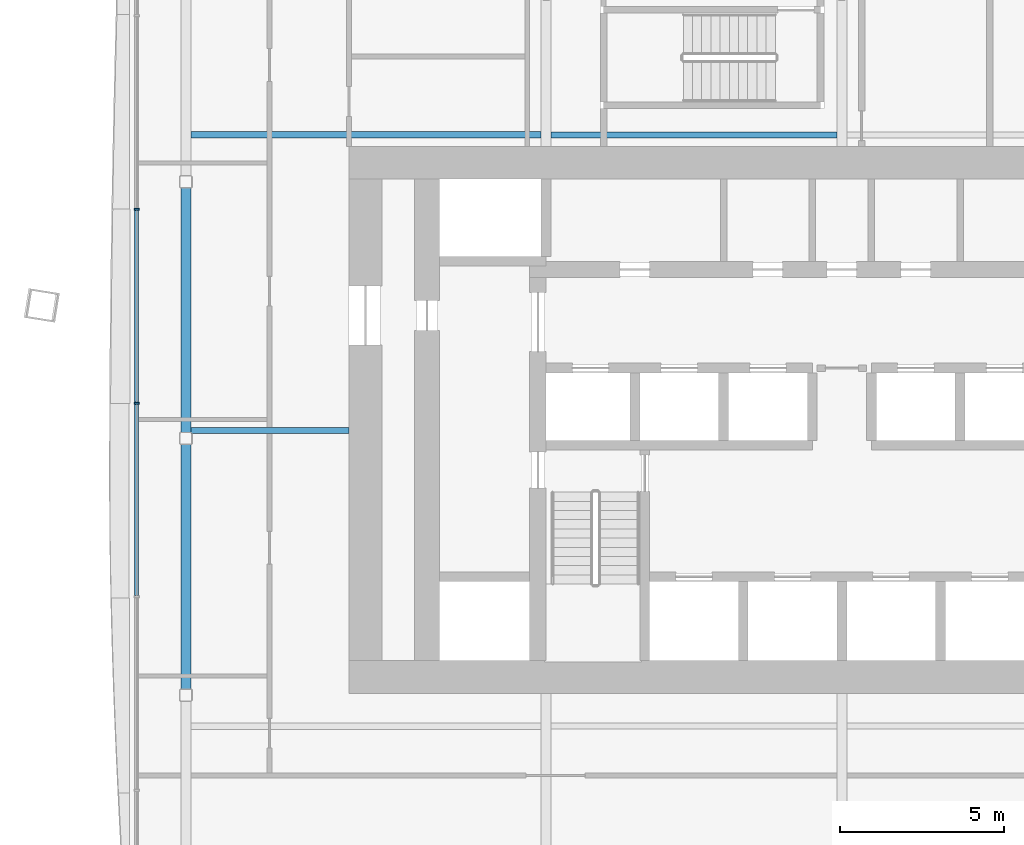
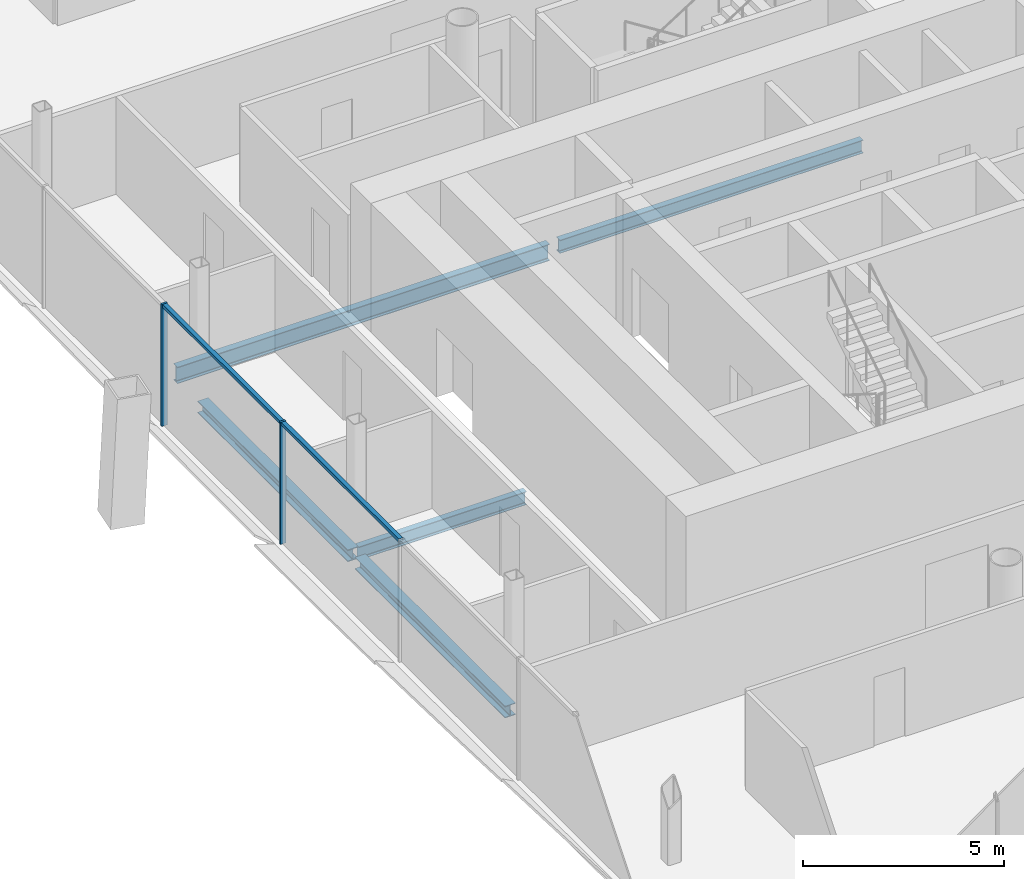
# One storey, part 4 of 19: 5 beams, 4 members, 1 element without a shape of its own.
"""IFC4 building model written with IfcOpenShell, lengths in metres."""

import ifcopenshell
import ifcopenshell.guid

model = None  # the IFC model being written
_history = None  # IfcOwnerHistory: only IFC2X3 demands one
_inside = {}  # id of a spatial element -> (the spatial element, [elements in it])
_under = {}  # id of a project, library or spatial element -> (it, [spatial elements below it])
_declared = {}  # id of a project -> (the project, [libraries it declares])
_typed = {}  # id of a type object -> (the type object, [elements of that type])
_made_of = {}  # id of a material, layer set ... -> (it, [elements and type objects made of it])


def new_model(schema):
    """Start an empty IFC model of exactly this schema.

    Asked for "IFC4X3", IfcOpenShell would pick the latest addendum, in which some entities
    have other attributes; the version numbers below select the first issue.
    IFC2X3 requires an IfcOwnerHistory on every rooted entity: one is made here for all.
    """
    global model, _history
    if schema == "IFC4X3":
        model = ifcopenshell.file(schema_version=(4, 3, 0, 0))
    else:
        model = ifcopenshell.file(schema=schema)
    _inside.clear()
    _under.clear()
    _declared.clear()
    _typed.clear()
    _made_of.clear()
    _history = None
    if model.schema == "IFC2X3":
        org = make("IfcOrganization", Name="unknown")
        user = make(
            "IfcPersonAndOrganization",
            ThePerson=make("IfcPerson", FamilyName="unknown"),
            TheOrganization=org,
        )
        app = make(
            "IfcApplication",
            ApplicationDeveloper=org,
            Version="unknown",
            ApplicationFullName="unknown",
            ApplicationIdentifier="unknown",
        )
        _history = make(
            "IfcOwnerHistory",
            OwningUser=user,
            OwningApplication=app,
            ChangeAction="ADDED",
            CreationDate=0,
        )
    return model


def make(cls, **values):
    """One entity of the class cls with the attributes given. An attribute that is None is left unset."""
    return model.create_entity(
        cls, **{name: value for name, value in values.items() if value is not None}
    )


def rooted(cls, **values):
    """An entity with a GlobalId (a new one), such as an element, a storey or a relation."""
    return make(cls, GlobalId=ifcopenshell.guid.new(), OwnerHistory=_history, **values)


def si_unit(unit_type, name, prefix=None):
    """IfcSIUnit, for example si_unit("LENGTHUNIT", "METRE", prefix="MILLI")."""
    return make("IfcSIUnit", UnitType=unit_type, Prefix=prefix, Name=name)


def assignment(units):
    """IfcUnitAssignment: the units of a project."""
    return None if units is None else make("IfcUnitAssignment", Units=units)


def point(xyz):
    """IfcCartesianPoint."""
    return None if xyz is None else make("IfcCartesianPoint", Coordinates=xyz)


def direction(xyz):
    """IfcDirection."""
    return None if xyz is None else make("IfcDirection", DirectionRatios=xyz)


def frame(location, z_axis=None, x_axis=None):
    """IfcAxis2Placement3D, a coordinate frame: its origin and axes. An axis left out is left unset."""
    return make(
        "IfcAxis2Placement3D",
        Location=point(location),
        Axis=direction(z_axis),
        RefDirection=direction(x_axis),
    )


def frame_2d(location, x_axis=None):
    """IfcAxis2Placement2D, a coordinate frame in the plane: its origin and x axis."""
    return make(
        "IfcAxis2Placement2D", Location=point(location), RefDirection=direction(x_axis)
    )


def origin():
    """The frame at (0, 0, 0) with its axes left unset."""
    return frame((0.0, 0.0, 0.0))


def origin_2d():
    """The frame at (0, 0) in the plane with its x axis left unset."""
    return frame_2d((0.0, 0.0))


def place(relative_to, where):
    """IfcLocalPlacement: puts the frame where relative to a parent placement (None: the world)."""
    return make(
        "IfcLocalPlacement", PlacementRelTo=relative_to, RelativePlacement=where
    )


def context(
    kind, dimensions, precision=None, world=None, true_north=None, identifier=None
):
    """IfcGeometricRepresentationContext, for example the 3D "Model" context."""
    return make(
        "IfcGeometricRepresentationContext",
        ContextIdentifier=identifier,
        ContextType=kind,
        CoordinateSpaceDimension=dimensions,
        Precision=precision,
        WorldCoordinateSystem=world,
        TrueNorth=true_north,
    )


def subcontext(parent, identifier, kind, view, scale=None):
    """IfcGeometricRepresentationSubContext, for example "Body" below "Model"."""
    return make(
        "IfcGeometricRepresentationSubContext",
        ContextIdentifier=identifier,
        ContextType=kind,
        ParentContext=parent,
        TargetScale=scale,
        TargetView=view,
    )


def project(units=None, contexts=None):
    """IfcProject with its units and contexts."""
    return rooted(
        "IfcProject",
        Name="project",
        RepresentationContexts=contexts,
        UnitsInContext=assignment(units),
    )


def spatial(cls, under=None, at=None, **own):
    """A site, building, storey or space (cls), placed at a placement, below another one or the project."""
    s = rooted(cls, ObjectPlacement=at, **own)
    if under is not None:
        _under.setdefault(under.id(), (under, []))[1].append(s)
    return s


def profile(cls, at=None, kind="AREA", **sizes):
    """A parametric profile (cls). Its sizes go by their IFC names, for example OverallWidth=200.0."""
    return make(cls, ProfileType=kind, Position=at, **sizes)


def rectangle(**sizes):
    """IfcRectangleProfileDef."""
    return profile("IfcRectangleProfileDef", **sizes)


def i_section(**sizes):
    """IfcIShapeProfileDef."""
    return profile("IfcIShapeProfileDef", **sizes)


def extrude(swept, where, along, depth):
    """IfcExtrudedAreaSolid: the profile swept, set in the frame where, extruded along a direction by depth."""
    return make(
        "IfcExtrudedAreaSolid",
        SweptArea=swept,
        Position=where,
        ExtrudedDirection=direction(along),
        Depth=depth,
    )


def shape(context_of_items, identifier, shape_type, items):
    """IfcShapeRepresentation: the items that make up one representation, for example the "Body"."""
    return make(
        "IfcShapeRepresentation",
        ContextOfItems=context_of_items,
        RepresentationIdentifier=identifier,
        RepresentationType=shape_type,
        Items=items,
    )


def material(Name=None, Category=None):
    """IfcMaterial."""
    return make("IfcMaterial", Name=Name, Category=Category)


def material_profile(
    of_material, cross_section, Name=None, Category=None, Priority=None
):
    """IfcMaterialProfile: a cross section and its material."""
    return make(
        "IfcMaterialProfile",
        Name=Name,
        Material=of_material,
        Profile=cross_section,
        Priority=Priority,
        Category=Category,
    )


def profile_set(profiles, Name=None, composite=None):
    """IfcMaterialProfileSet."""
    return make(
        "IfcMaterialProfileSet",
        Name=Name,
        MaterialProfiles=profiles,
        CompositeProfile=composite,
    )


def made_of(thing, what):
    """Note that an element or type object is made of a material, layer set ...; save() writes the relation."""
    if what is not None:
        _made_of.setdefault(what.id(), (what, []))[1].append(thing)
    return thing


def type_object(cls, material=None, **own):
    """A type object (cls), such as IfcWallType, which elements share."""
    return made_of(rooted(cls, **own), material)


def element(
    cls,
    number,
    at=None,
    inside=None,
    cuts=None,
    type_object=None,
    material=None,
    context=None,
    identifier="Body",
    shape_type=None,
    held_by="IfcProductDefinitionShape",
    body=None,
    shapes=None,
    **own,
):
    """One element of the class cls, such as IfcWall. Its Tag is "e" and its number.

    at: its placement. inside: the storey or other place that contains it. cuts: it is an
    opening in that element (IfcRelVoidsElement). A single representation is given by context,
    identifier, shape_type and body (its items); several are given by shapes. held_by: the class
    of the entity that holds the representations. save() writes the other relations.
    """
    e = rooted(cls, Tag="e%d" % number, ObjectPlacement=at, **own)
    if body is not None:
        shapes = [shape(context, identifier, shape_type, body)]
    if shapes is not None:
        e.Representation = make(held_by, Representations=shapes)
    if inside is not None:
        _inside.setdefault(inside.id(), (inside, []))[1].append(e)
    if cuts is not None:
        rooted(
            "IfcRelVoidsElement", RelatingBuildingElement=cuts, RelatedOpeningElement=e
        )
    if type_object is not None:
        _typed.setdefault(type_object.id(), (type_object, []))[1].append(e)
    return made_of(e, material)


def aggregate(whole, parts):
    """IfcRelAggregates: a whole, such as a stair, and the parts it consists of."""
    return rooted("IfcRelAggregates", RelatingObject=whole, RelatedObjects=parts)


def save(model, path):
    """Write the relations noted so far, then the file.

    IfcRelAggregates (storeys below a building ...), IfcRelContainedInSpatialStructure (elements
    in a storey), IfcRelDefinesByType, IfcRelAssociatesMaterial and IfcRelDeclares: one each for
    every whole, place, type object, material and project.
    """
    for whole, parts in _under.values():
        aggregate(whole, parts)
    for where, things in _inside.values():
        rooted(
            "IfcRelContainedInSpatialStructure",
            RelatedElements=things,
            RelatingStructure=where,
        )
    for kind, things in _typed.values():
        rooted("IfcRelDefinesByType", RelatedObjects=things, RelatingType=kind)
    for what, things in _made_of.values():
        rooted("IfcRelAssociatesMaterial", RelatedObjects=things, RelatingMaterial=what)
    for by, libraries in _declared.values():
        rooted("IfcRelDeclares", RelatingContext=by, RelatedDefinitions=libraries)
    model.write(path)


model = new_model("IFC4")

# Units and contexts
model_context = context("Model", 3, precision=1e-05, world=origin(), true_north=direction((0.0, 1.0)))
body_context = subcontext(model_context, "Body", "Model", "MODEL_VIEW")
ifc_project = project(units=[si_unit("LENGTHUNIT", "METRE"), si_unit("AREAUNIT", "SQUARE_METRE"), si_unit("VOLUMEUNIT", "CUBIC_METRE"), si_unit("PLANEANGLEUNIT", "RADIAN"), si_unit("MASSUNIT", "GRAM", prefix="KILO")], contexts=[model_context])

# Site, building, storey
site_placement = place(None, origin())
site = spatial("IfcSite", under=ifc_project, at=site_placement, CompositionType="ELEMENT")
building_placement = place(site_placement, origin())
building = spatial("IfcBuilding", under=site, at=building_placement, Name="Tskaro Facet Tower", CompositionType="ELEMENT")
storey_placement = place(building_placement, frame((0.0, 0.0, 89.39990234375)))
storey = spatial("IfcBuildingStorey", under=building, at=storey_placement, Name="L21", CompositionType="ELEMENT", Elevation=89.39990234375)

# Curtain wall, members
ifc_material_1 = material(Name="Bronze anodised aluminium 6063-T6", Category="aluminium")
curtain_wall_type = type_object("IfcCurtainWallType", Name="Bronze office curtain wall (FW1)", PredefinedType="NOTDEFINED", material=ifc_material_1)
curtain_wall_placement = place(storey_placement, origin())
curtain_wall = element("IfcCurtainWall", 1, at=curtain_wall_placement, inside=storey, type_object=curtain_wall_type, Name="FW1 west facet L21", PredefinedType="NOTDEFINED")
ifc_material_profile_1 = material_profile(ifc_material_1, rectangle(XDim=0.06005859375, YDim=0.159912109375, at=origin_2d()), Name="Mullion 60x160")
ifc_profile_set_1 = profile_set([ifc_material_profile_1], Name="Bronze anodised aluminium 6063-T6")
member_type_1 = type_object("IfcMemberType", Name="FW1 bronze mullion 60x160", PredefinedType="MULLION", material=ifc_profile_set_1)
member_1_placement = place(storey_placement, frame((-21.462890625, 2.229736328125, 0.0), z_axis=(0.0, 0.0, 1.0), x_axis=(0.0, -1.0, 0.0)))
member_1 = element("IfcMember", 2, at=member_1_placement, type_object=member_type_1, Name="FW1 west mullion 3", PredefinedType="MULLION", context=body_context, shape_type="SweptSolid", body=[
    extrude(rectangle(XDim=0.06005859375, YDim=0.159912109375, at=origin_2d()), origin(), (0.0, 0.0, 1.0), 3.7001953125),
])
member_2_placement = place(storey_placement, frame((-21.462890625, -3.664794921875, 0.0), z_axis=(0.0, 0.0, 1.0), x_axis=(0.0, -1.0, 0.0)))
member_2 = element("IfcMember", 3, at=member_2_placement, type_object=member_type_1, Name="FW1 west mullion 4", PredefinedType="MULLION", context=body_context, shape_type="SweptSolid", body=[
    extrude(rectangle(XDim=0.06005859375, YDim=0.159912109375, at=origin_2d()), origin(), (0.0, 0.0, 1.0), 3.7001953125),
])
ifc_material_profile_2 = material_profile(ifc_material_1, rectangle(XDim=0.1201171875, YDim=0.10009765625, at=origin_2d()), Name="Transom 120x100")
ifc_profile_set_2 = profile_set([ifc_material_profile_2], Name="Bronze anodised aluminium 6063-T6")
member_type_2 = type_object("IfcMemberType", Name="FW1 bronze transom 120x100", PredefinedType="USERDEFINED", material=ifc_profile_set_2)
member_3_placement = place(storey_placement, frame((-21.462890625, 2.19970703125, 3.650146484375), z_axis=(0.0, -1.0, 0.0), x_axis=(1.0, 0.0, 0.0)))
member_3 = element("IfcMember", 4, at=member_3_placement, type_object=member_type_2, Name="FW1 west transom 4.1", ObjectType="TRANSOM", PredefinedType="USERDEFINED", context=body_context, shape_type="SweptSolid", body=[
    extrude(rectangle(XDim=0.1201171875, YDim=0.10009765625, at=origin_2d()), origin(), (0.0, 0.0, 1.0), 5.83447265625),
])
member_4_placement = place(storey_placement, frame((-21.462890625, -3.69482421875, 3.650146484375), z_axis=(0.0, -1.0, 0.0), x_axis=(1.0, 0.0, 0.0)))
member_4 = element("IfcMember", 5, at=member_4_placement, type_object=member_type_2, Name="FW1 west transom 5.1", ObjectType="TRANSOM", PredefinedType="USERDEFINED", context=body_context, shape_type="SweptSolid", body=[
    extrude(rectangle(XDim=0.1201171875, YDim=0.10009765625, at=origin_2d()), origin(), (0.0, 0.0, 1.0), 5.834228515625),
])
aggregate(curtain_wall, [member_1, member_2, member_3, member_4])

# Beams
ifc_material_2 = material(Name="Steel S355J2", Category="steel")
ifc_material_profile_3 = material_profile(ifc_material_2, i_section(OverallWidth=0.300048828125, OverallDepth=0.360107421875, WebThickness=0.012451171875, FlangeThickness=0.0224609375, FilletRadius=0.027099609375, at=origin_2d()), Name="HE 360 B")
ifc_profile_set_3 = profile_set([ifc_material_profile_3], Name="Steel S355J2")
beam_type_1 = type_object("IfcBeamType", Name="HE 360 B ring beam", PredefinedType="BEAM", material=ifc_profile_set_3)
beam_1_placement = place(storey_placement, frame((-19.965087890625, 2.887939453125, -0.31982421875), z_axis=(0.0, -1.0, 0.0), x_axis=(1.0, 0.0, 0.0)))
element("IfcBeam", 6, at=beam_1_placement, inside=storey, type_object=beam_type_1, Name="HE 360 B EB21-2", PredefinedType="BEAM", context=body_context, shape_type="SweptSolid", body=[
    extrude(i_section(OverallWidth=0.300048828125, OverallDepth=0.360107421875, WebThickness=0.012451171875, FlangeThickness=0.0224609375, FilletRadius=0.027099609375, at=origin_2d()), origin(), (0.0, 0.0, 1.0), 7.449951171875),
])
beam_2_placement = place(storey_placement, frame((-19.965087890625, -4.922119140625, -0.31982421875), z_axis=(0.0, -1.0, 0.0), x_axis=(1.0, 0.0, 0.0)))
element("IfcBeam", 7, at=beam_2_placement, inside=storey, type_object=beam_type_1, Name="HE 360 B EB22-2", PredefinedType="BEAM", context=body_context, shape_type="SweptSolid", body=[
    extrude(i_section(OverallWidth=0.300048828125, OverallDepth=0.360107421875, WebThickness=0.012451171875, FlangeThickness=0.0224609375, FilletRadius=0.027099609375, at=origin_2d()), origin(), (0.0, 0.0, 1.0), 7.450927734375),
])
ifc_material_profile_4 = material_profile(ifc_material_2, i_section(OverallWidth=0.179931640625, OverallDepth=0.39990234375, WebThickness=0.008544921875, FlangeThickness=0.013427734375, FilletRadius=0.02099609375, at=origin_2d()), Name="IPE 400")
ifc_profile_set_4 = profile_set([ifc_material_profile_4], Name="Steel S355J2")
beam_type_2 = type_object("IfcBeamType", Name="IPE 400 secondary beam", PredefinedType="BEAM", material=ifc_profile_set_4)
beam_3_placement = place(storey_placement, frame((-19.81494140625, -4.5, -0.33984375), z_axis=(1.0, 0.0, 0.0), x_axis=(0.0, 1.0, 0.0)))
element("IfcBeam", 8, at=beam_3_placement, inside=storey, type_object=beam_type_2, Name="IPE 400 SB3a-1-2", PredefinedType="BEAM", context=body_context, shape_type="SweptSolid", body=[
    extrude(i_section(OverallWidth=0.179931640625, OverallDepth=0.39990234375, WebThickness=0.008544921875, FlangeThickness=0.013427734375, FilletRadius=0.02099609375, at=origin_2d()), origin(), (0.0, 0.0, 1.0), 4.81494140625),
])
beam_4_placement = place(storey_placement, frame((-8.85009765625, 4.5, -0.33984375), z_axis=(1.0, 0.0, 0.0), x_axis=(0.0, 1.0, 0.0)))
element("IfcBeam", 9, at=beam_4_placement, inside=storey, type_object=beam_type_2, Name="IPE 400 SB4a-2-2", PredefinedType="BEAM", context=body_context, shape_type="SweptSolid", body=[
    extrude(i_section(OverallWidth=0.179931640625, OverallDepth=0.39990234375, WebThickness=0.008544921875, FlangeThickness=0.013427734375, FilletRadius=0.02099609375, at=origin_2d()), origin(), (0.0, 0.0, 1.0), 8.7001953125),
])
ifc_material_profile_5 = material_profile(ifc_material_2, i_section(OverallWidth=0.199951171875, OverallDepth=0.5, WebThickness=0.01025390625, FlangeThickness=0.01611328125, FilletRadius=0.02099609375, at=origin_2d()), Name="IPE 500")
ifc_profile_set_5 = profile_set([ifc_material_profile_5], Name="Steel S355J2")
beam_type_3 = type_object("IfcBeamType", Name="IPE 500 long secondary beam", PredefinedType="BEAM", material=ifc_profile_set_5)
beam_5_placement = place(storey_placement, frame((-19.81494140625, 4.5, -0.389892578125), z_axis=(1.0, 0.0, 0.0), x_axis=(0.0, 1.0, 0.0)))
element("IfcBeam", 10, at=beam_5_placement, inside=storey, type_object=beam_type_3, Name="IPE 500 LSB4a-1-2", PredefinedType="BEAM", context=body_context, shape_type="SweptSolid", body=[
    extrude(i_section(OverallWidth=0.199951171875, OverallDepth=0.5, WebThickness=0.01025390625, FlangeThickness=0.01611328125, FilletRadius=0.02099609375, at=origin_2d()), origin(), (0.0, 0.0, 1.0), 10.6650390625),
])

save(model, "model.ifc")
